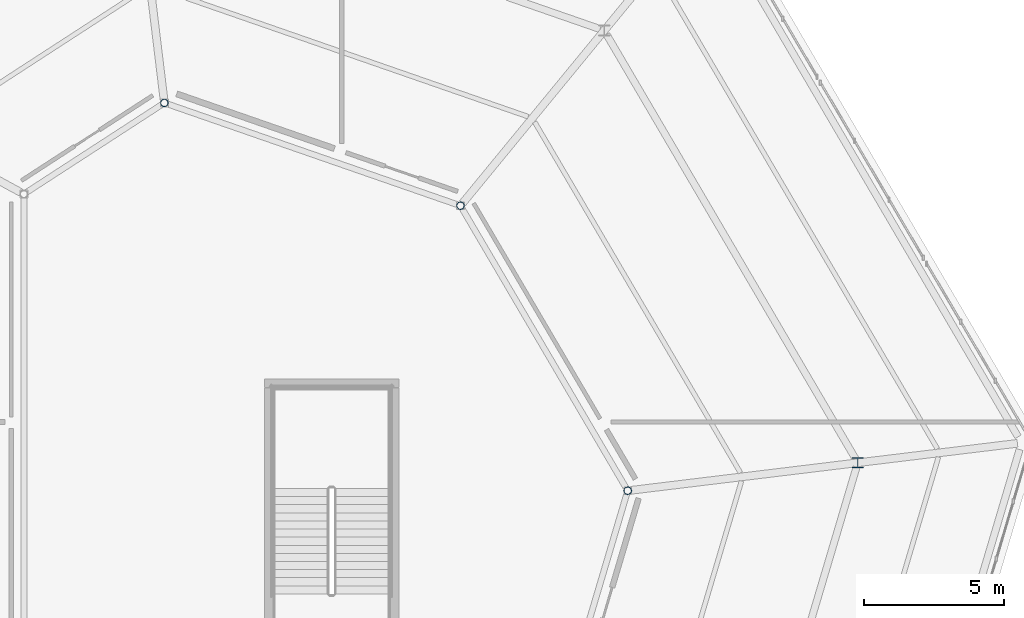
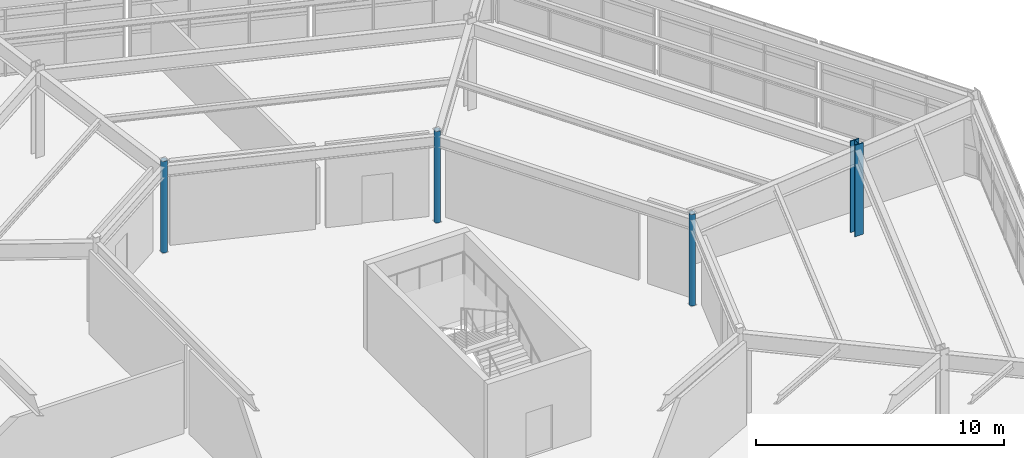
# One storey, part 16 of 77: 4 columns.
"""IFC4 building model written with IfcOpenShell, lengths in metres."""

from ifc_helpers import new_model, si_unit, direction, frame, origin, origin_2d, place, context, subcontext, project, spatial, hollow_circle, i_section, extrude, material, material_profile, profile_set, type_object, element, save


model = new_model("IFC4")

# Units and contexts
model_context = context("Model", 3, precision=1e-05, world=origin(), true_north=direction((0.0, 1.0)))
body_context = subcontext(model_context, "Body", "Model", "MODEL_VIEW")
ifc_project = project(units=[si_unit("LENGTHUNIT", "METRE"), si_unit("AREAUNIT", "SQUARE_METRE"), si_unit("VOLUMEUNIT", "CUBIC_METRE"), si_unit("PLANEANGLEUNIT", "RADIAN"), si_unit("MASSUNIT", "GRAM", prefix="KILO")], contexts=[model_context])

# Site, building, storey
site_placement = place(None, origin())
site = spatial("IfcSite", under=ifc_project, at=site_placement, CompositionType="ELEMENT")
building_placement = place(site_placement, origin())
building = spatial("IfcBuilding", under=site, at=building_placement, Name="Sarnbrook Museum", CompositionType="ELEMENT")
storey_placement = place(building_placement, frame((0.0, 0.0, 5.60009765625)))
storey = spatial("IfcBuildingStorey", under=building, at=storey_placement, Name="L01", CompositionType="ELEMENT", Elevation=5.60009765625)

# Columns
ifc_material_1 = material(Name="Structural Steel Hollow Section Grade C350L0 (AS/NZS 1163, fy = 350 MPa)", Category="steel")
ifc_material_profile_1 = material_profile(ifc_material_1, hollow_circle(Radius=0.136474609375, WallThickness=0.00927734375, at=origin_2d()), Name="273.1x9.3CHS")
ifc_profile_set_1 = profile_set([ifc_material_profile_1], Name="Structural Steel Hollow Section Grade C350L0 (AS/NZS 1163, fy = 350 MPa)")
column_type_1 = type_object("IfcColumnType", Name="COL-CHS273", PredefinedType="COLUMN", material=ifc_profile_set_1)
for number, where, z_axis, x_axis, name in (
    (1, (154.382080078125, 86.210205078125, 0.0), (0.0, 0.0, 1.0), (1.0, 0.0, 0.0), "Crystal Gallery Feature Column R2-4 L01"),
    (2, (148.40576171875, 96.39599609375, 0.0), (0.0, 0.0, 1.0), (1.0, 0.0, 0.0), "Crystal Gallery Feature Column R2-5 L01"),
    (3, (137.822509765625, 100.07080078125, 0.0), (0.0, 0.0, 1.0), (1.0, 0.0, 0.0), "Crystal Gallery Feature Column R2-6 L01"),
):
    element("IfcColumn", number, at=place(storey_placement, frame(where, z_axis=z_axis, x_axis=x_axis)), inside=storey, type_object=column_type_1, Name=name, PredefinedType="COLUMN", context=body_context, shape_type="SweptSolid", body=[
        extrude(hollow_circle(Radius=0.136474609375, WallThickness=0.00927734375, at=origin_2d()), origin(), (0.0, 0.0, 1.0), 4.5),
    ])
ifc_material_2 = material(Name="Structural Steel Grade 350L0 (AS/NZS 3678, fy = 340 MPa for 20 < t <= 40 mm)", Category="steel")
ifc_material_profile_2 = material_profile(ifc_material_2, i_section(OverallWidth=0.39990234375, OverallDepth=0.382080078125, WebThickness=0.02490234375, FlangeThickness=0.035888671875, at=origin_2d()), Name="400WC270")
ifc_profile_set_2 = profile_set([ifc_material_profile_2], Name="Structural Steel Grade 350L0 (AS/NZS 3678, fy = 340 MPa for 20 < t <= 40 mm)")
column_type_2 = type_object("IfcColumnType", Name="COL-WC400", PredefinedType="COLUMN", material=ifc_profile_set_2)
column_placement = place(storey_placement, frame((162.606689453125, 87.21044921875, 0.0), z_axis=(0.0, 0.0, 1.0), x_axis=(1.0, 0.0, 0.0)))
element("IfcColumn", 4, at=column_placement, inside=storey, type_object=column_type_2, Name="Crystal Hall Ring Column R1-4 L01", PredefinedType="COLUMN", context=body_context, shape_type="SweptSolid", body=[
    extrude(i_section(OverallWidth=0.39990234375, OverallDepth=0.382080078125, WebThickness=0.02490234375, FlangeThickness=0.035888671875, at=origin_2d()), origin(), (0.0, 0.0, 1.0), 4.5),
])

save(model, "model.ifc")
